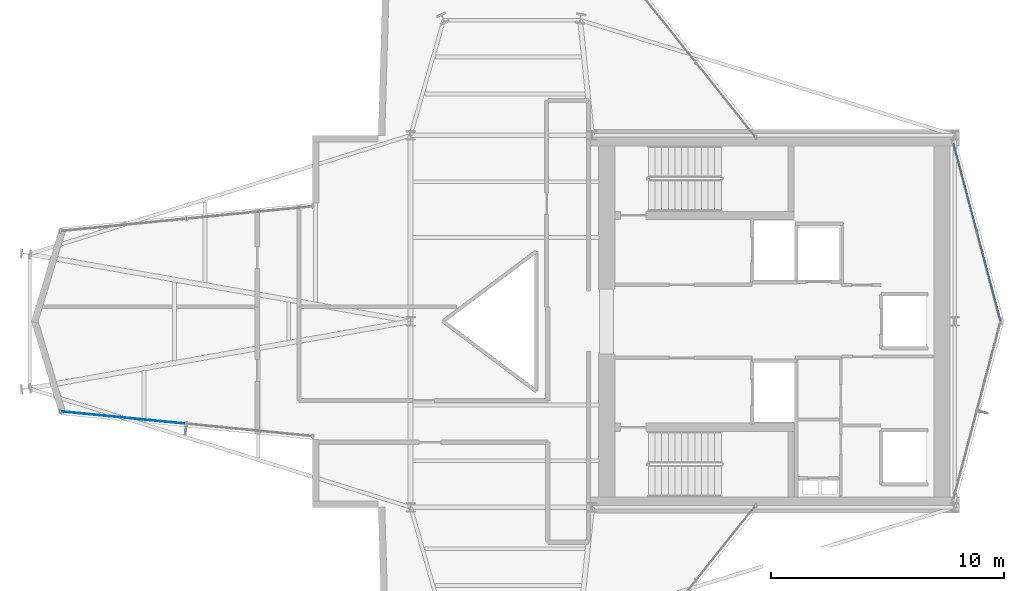
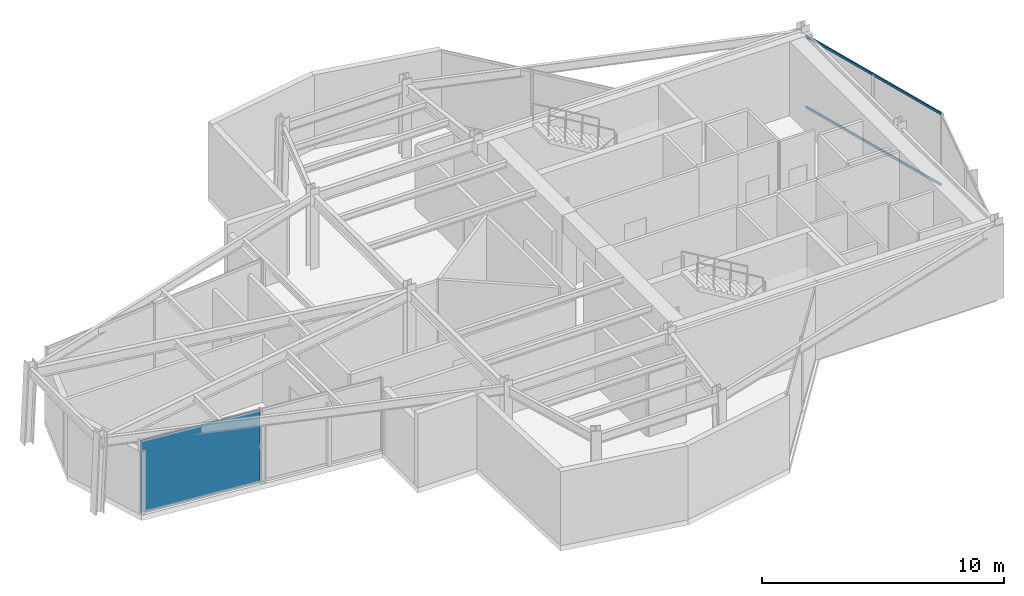
# One storey, part 17 of 23: 2 members, 1 plate, 2 elements without a shape of their own.
"""IFC4 building model written with IfcOpenShell, lengths in metres."""

import ifcopenshell
import ifcopenshell.guid

model = None  # the IFC model being written
_history = None  # IfcOwnerHistory: only IFC2X3 demands one
_inside = {}  # id of a spatial element -> (the spatial element, [elements in it])
_under = {}  # id of a project, library or spatial element -> (it, [spatial elements below it])
_declared = {}  # id of a project -> (the project, [libraries it declares])
_typed = {}  # id of a type object -> (the type object, [elements of that type])
_made_of = {}  # id of a material, layer set ... -> (it, [elements and type objects made of it])


def new_model(schema):
    """Start an empty IFC model of exactly this schema.

    Asked for "IFC4X3", IfcOpenShell would pick the latest addendum, in which some entities
    have other attributes; the version numbers below select the first issue.
    IFC2X3 requires an IfcOwnerHistory on every rooted entity: one is made here for all.
    """
    global model, _history
    if schema == "IFC4X3":
        model = ifcopenshell.file(schema_version=(4, 3, 0, 0))
    else:
        model = ifcopenshell.file(schema=schema)
    _inside.clear()
    _under.clear()
    _declared.clear()
    _typed.clear()
    _made_of.clear()
    _history = None
    if model.schema == "IFC2X3":
        org = make("IfcOrganization", Name="unknown")
        user = make(
            "IfcPersonAndOrganization",
            ThePerson=make("IfcPerson", FamilyName="unknown"),
            TheOrganization=org,
        )
        app = make(
            "IfcApplication",
            ApplicationDeveloper=org,
            Version="unknown",
            ApplicationFullName="unknown",
            ApplicationIdentifier="unknown",
        )
        _history = make(
            "IfcOwnerHistory",
            OwningUser=user,
            OwningApplication=app,
            ChangeAction="ADDED",
            CreationDate=0,
        )
    return model


def make(cls, **values):
    """One entity of the class cls with the attributes given. An attribute that is None is left unset."""
    return model.create_entity(
        cls, **{name: value for name, value in values.items() if value is not None}
    )


def rooted(cls, **values):
    """An entity with a GlobalId (a new one), such as an element, a storey or a relation."""
    return make(cls, GlobalId=ifcopenshell.guid.new(), OwnerHistory=_history, **values)


def si_unit(unit_type, name, prefix=None):
    """IfcSIUnit, for example si_unit("LENGTHUNIT", "METRE", prefix="MILLI")."""
    return make("IfcSIUnit", UnitType=unit_type, Prefix=prefix, Name=name)


def assignment(units):
    """IfcUnitAssignment: the units of a project."""
    return None if units is None else make("IfcUnitAssignment", Units=units)


def point(xyz):
    """IfcCartesianPoint."""
    return None if xyz is None else make("IfcCartesianPoint", Coordinates=xyz)


def direction(xyz):
    """IfcDirection."""
    return None if xyz is None else make("IfcDirection", DirectionRatios=xyz)


def frame(location, z_axis=None, x_axis=None):
    """IfcAxis2Placement3D, a coordinate frame: its origin and axes. An axis left out is left unset."""
    return make(
        "IfcAxis2Placement3D",
        Location=point(location),
        Axis=direction(z_axis),
        RefDirection=direction(x_axis),
    )


def frame_2d(location, x_axis=None):
    """IfcAxis2Placement2D, a coordinate frame in the plane: its origin and x axis."""
    return make(
        "IfcAxis2Placement2D", Location=point(location), RefDirection=direction(x_axis)
    )


def origin():
    """The frame at (0, 0, 0) with its axes left unset."""
    return frame((0.0, 0.0, 0.0))


def origin_2d():
    """The frame at (0, 0) in the plane with its x axis left unset."""
    return frame_2d((0.0, 0.0))


def place(relative_to, where):
    """IfcLocalPlacement: puts the frame where relative to a parent placement (None: the world)."""
    return make(
        "IfcLocalPlacement", PlacementRelTo=relative_to, RelativePlacement=where
    )


def context(
    kind, dimensions, precision=None, world=None, true_north=None, identifier=None
):
    """IfcGeometricRepresentationContext, for example the 3D "Model" context."""
    return make(
        "IfcGeometricRepresentationContext",
        ContextIdentifier=identifier,
        ContextType=kind,
        CoordinateSpaceDimension=dimensions,
        Precision=precision,
        WorldCoordinateSystem=world,
        TrueNorth=true_north,
    )


def subcontext(parent, identifier, kind, view, scale=None):
    """IfcGeometricRepresentationSubContext, for example "Body" below "Model"."""
    return make(
        "IfcGeometricRepresentationSubContext",
        ContextIdentifier=identifier,
        ContextType=kind,
        ParentContext=parent,
        TargetScale=scale,
        TargetView=view,
    )


def project(units=None, contexts=None):
    """IfcProject with its units and contexts."""
    return rooted(
        "IfcProject",
        Name="project",
        RepresentationContexts=contexts,
        UnitsInContext=assignment(units),
    )


def spatial(cls, under=None, at=None, **own):
    """A site, building, storey or space (cls), placed at a placement, below another one or the project."""
    s = rooted(cls, ObjectPlacement=at, **own)
    if under is not None:
        _under.setdefault(under.id(), (under, []))[1].append(s)
    return s


def profile(cls, at=None, kind="AREA", **sizes):
    """A parametric profile (cls). Its sizes go by their IFC names, for example OverallWidth=200.0."""
    return make(cls, ProfileType=kind, Position=at, **sizes)


def rectangle(**sizes):
    """IfcRectangleProfileDef."""
    return profile("IfcRectangleProfileDef", **sizes)


def hollow_rectangle(**sizes):
    """IfcRectangleHollowProfileDef."""
    return profile("IfcRectangleHollowProfileDef", **sizes)


def extrude(swept, where, along, depth):
    """IfcExtrudedAreaSolid: the profile swept, set in the frame where, extruded along a direction by depth."""
    return make(
        "IfcExtrudedAreaSolid",
        SweptArea=swept,
        Position=where,
        ExtrudedDirection=direction(along),
        Depth=depth,
    )


def shape(context_of_items, identifier, shape_type, items):
    """IfcShapeRepresentation: the items that make up one representation, for example the "Body"."""
    return make(
        "IfcShapeRepresentation",
        ContextOfItems=context_of_items,
        RepresentationIdentifier=identifier,
        RepresentationType=shape_type,
        Items=items,
    )


def material(Name=None, Category=None):
    """IfcMaterial."""
    return make("IfcMaterial", Name=Name, Category=Category)


def layer(
    of_material, thickness, ventilated=None, Name=None, Category=None, Priority=None
):
    """IfcMaterialLayer: one layer of a wall or slab, of a material (None: an air gap)."""
    return make(
        "IfcMaterialLayer",
        Material=of_material,
        LayerThickness=thickness,
        IsVentilated=ventilated,
        Name=Name,
        Category=Category,
        Priority=Priority,
    )


def layer_set(layers, Name=None):
    """IfcMaterialLayerSet."""
    return make("IfcMaterialLayerSet", MaterialLayers=layers, LayerSetName=Name)


def material_profile(
    of_material, cross_section, Name=None, Category=None, Priority=None
):
    """IfcMaterialProfile: a cross section and its material."""
    return make(
        "IfcMaterialProfile",
        Name=Name,
        Material=of_material,
        Profile=cross_section,
        Priority=Priority,
        Category=Category,
    )


def profile_set(profiles, Name=None, composite=None):
    """IfcMaterialProfileSet."""
    return make(
        "IfcMaterialProfileSet",
        Name=Name,
        MaterialProfiles=profiles,
        CompositeProfile=composite,
    )


def made_of(thing, what):
    """Note that an element or type object is made of a material, layer set ...; save() writes the relation."""
    if what is not None:
        _made_of.setdefault(what.id(), (what, []))[1].append(thing)
    return thing


def type_object(cls, material=None, **own):
    """A type object (cls), such as IfcWallType, which elements share."""
    return made_of(rooted(cls, **own), material)


def element(
    cls,
    number,
    at=None,
    inside=None,
    cuts=None,
    type_object=None,
    material=None,
    context=None,
    identifier="Body",
    shape_type=None,
    held_by="IfcProductDefinitionShape",
    body=None,
    shapes=None,
    **own,
):
    """One element of the class cls, such as IfcWall. Its Tag is "e" and its number.

    at: its placement. inside: the storey or other place that contains it. cuts: it is an
    opening in that element (IfcRelVoidsElement). A single representation is given by context,
    identifier, shape_type and body (its items); several are given by shapes. held_by: the class
    of the entity that holds the representations. save() writes the other relations.
    """
    e = rooted(cls, Tag="e%d" % number, ObjectPlacement=at, **own)
    if body is not None:
        shapes = [shape(context, identifier, shape_type, body)]
    if shapes is not None:
        e.Representation = make(held_by, Representations=shapes)
    if inside is not None:
        _inside.setdefault(inside.id(), (inside, []))[1].append(e)
    if cuts is not None:
        rooted(
            "IfcRelVoidsElement", RelatingBuildingElement=cuts, RelatedOpeningElement=e
        )
    if type_object is not None:
        _typed.setdefault(type_object.id(), (type_object, []))[1].append(e)
    return made_of(e, material)


def aggregate(whole, parts):
    """IfcRelAggregates: a whole, such as a stair, and the parts it consists of."""
    return rooted("IfcRelAggregates", RelatingObject=whole, RelatedObjects=parts)


def save(model, path):
    """Write the relations noted so far, then the file.

    IfcRelAggregates (storeys below a building ...), IfcRelContainedInSpatialStructure (elements
    in a storey), IfcRelDefinesByType, IfcRelAssociatesMaterial and IfcRelDeclares: one each for
    every whole, place, type object, material and project.
    """
    for whole, parts in _under.values():
        aggregate(whole, parts)
    for where, things in _inside.values():
        rooted(
            "IfcRelContainedInSpatialStructure",
            RelatedElements=things,
            RelatingStructure=where,
        )
    for kind, things in _typed.values():
        rooted("IfcRelDefinesByType", RelatedObjects=things, RelatingType=kind)
    for what, things in _made_of.values():
        rooted("IfcRelAssociatesMaterial", RelatedObjects=things, RelatingMaterial=what)
    for by, libraries in _declared.values():
        rooted("IfcRelDeclares", RelatingContext=by, RelatedDefinitions=libraries)
    model.write(path)


model = new_model("IFC4")

# Units and contexts
model_context = context("Model", 3, precision=1e-05, world=origin(), true_north=direction((0.0, 1.0)))
body_context = subcontext(model_context, "Body", "Model", "MODEL_VIEW")
ifc_project = project(units=[si_unit("LENGTHUNIT", "METRE"), si_unit("AREAUNIT", "SQUARE_METRE"), si_unit("VOLUMEUNIT", "CUBIC_METRE"), si_unit("PLANEANGLEUNIT", "RADIAN"), si_unit("MASSUNIT", "GRAM", prefix="KILO")], contexts=[model_context])

# Site, building, storey
site_placement = place(None, origin())
site = spatial("IfcSite", under=ifc_project, at=site_placement, CompositionType="ELEMENT")
building_placement = place(site_placement, origin())
building = spatial("IfcBuilding", under=site, at=building_placement, Name="Veymaron Broadcast Tower", CompositionType="ELEMENT")
storey_placement = place(building_placement, frame((0.0, 0.0, 252.60009765625)))
storey = spatial("IfcBuildingStorey", under=building, at=storey_placement, Name="L59", CompositionType="ELEMENT", Elevation=252.60009765625)

# Curtain wall, members
ifc_material_1 = material(Name="Anodised aluminium AA 6063-T6 and laminated low-E dark glass", Category="aluminium")
ifc_layer_1 = layer(ifc_material_1, 0.179931640625)
ifc_layer_set_1 = layer_set([ifc_layer_1], Name="Anodised aluminium AA 6063-T6 and laminated low-E dark glass")
curtain_wall_type = type_object("IfcCurtainWallType", Name="CW-SYS-05", PredefinedType="NOTDEFINED", material=ifc_layer_set_1)
curtain_wall_1_placement = place(storey_placement, origin())
curtain_wall_1 = element("IfcCurtainWall", 1, at=curtain_wall_1_placement, inside=storey, type_object=curtain_wall_type, Name="L59 dark-glass curtain wall CW-L59-E3-1", PredefinedType="NOTDEFINED")
ifc_material_2 = material(Name="Anodised aluminium AA 6063-T6", Category="aluminium")
ifc_material_profile = material_profile(ifc_material_2, hollow_rectangle(XDim=0.06005859375, YDim=0.1201171875, WallThickness=0.00390625, at=origin_2d()), Name="AL120X60X4")
ifc_profile_set = profile_set([ifc_material_profile], Name="Anodised aluminium AA 6063-T6")
member_type = type_object("IfcMemberType", Name="CW-TRN-02", PredefinedType="USERDEFINED", material=ifc_profile_set)
member_1_placement = place(storey_placement, frame((56.572998046875, 24.012451171875, 0.06982421875), z_axis=(-0.256287886106, 0.966600496294, 0.0), x_axis=(-0.966600496294, -0.256287886106, 0.0)))
member_1 = element("IfcMember", 2, at=member_1_placement, type_object=member_type, Name="CW-L59-E3-1 transom B", ObjectType="TRANSOM", PredefinedType="USERDEFINED", context=body_context, shape_type="SweptSolid", body=[
    extrude(hollow_rectangle(XDim=0.06005859375, YDim=0.1201171875, WallThickness=0.00390625, at=origin_2d()), origin(), (0.0, 0.0, 1.0), 7.926513671875),
])
member_2_placement = place(storey_placement, frame((56.572998046875, 24.012451171875, 3.659912109375), z_axis=(-0.256287886106, 0.966600496294, 0.0), x_axis=(-0.966600496294, -0.256287886106, 0.0)))
member_2 = element("IfcMember", 3, at=member_2_placement, type_object=member_type, Name="CW-L59-E3-1 transom T", ObjectType="TRANSOM", PredefinedType="USERDEFINED", context=body_context, shape_type="SweptSolid", body=[
    extrude(hollow_rectangle(XDim=0.06005859375, YDim=0.1201171875, WallThickness=0.00390625, at=origin_2d()), origin(), (0.0, 0.0, 1.0), 7.926513671875),
])
aggregate(curtain_wall_1, [member_1, member_2])

# Curtain wall, plate
curtain_wall_2_placement = place(storey_placement, origin())
curtain_wall_2 = element("IfcCurtainWall", 4, at=curtain_wall_2_placement, inside=storey, type_object=curtain_wall_type, Name="L59 dark-glass curtain wall CW-L59-E14-1", PredefinedType="NOTDEFINED")
ifc_material_3 = material(Name="Double-silver solar-control dark glass IGU 32 mm", Category="glass")
ifc_layer_2 = layer(ifc_material_3, 0.031982421875)
ifc_layer_set_2 = layer_set([ifc_layer_2], Name="Double-silver solar-control dark glass IGU 32 mm")
plate_type = type_object("IfcPlateType", Name="CW-PNL-02", PredefinedType="CURTAIN_PANEL", material=ifc_layer_set_2)
plate_placement = place(storey_placement, frame((18.834716796875, 19.85888671875, 0.0400390625), z_axis=(0.0, 0.0, 1.0), x_axis=(0.995198402746, -0.097878185373, 0.0)))
plate = element("IfcPlate", 5, at=plate_placement, type_object=plate_type, Name="CW-L59-E14-1 unitised curtain panel 0", PredefinedType="CURTAIN_PANEL", context=body_context, shape_type="SweptSolid", body=[
    extrude(rectangle(XDim=5.408203125, YDim=0.031982421875, at=origin_2d()), origin(), (0.0, 0.0, 1.0), 3.64990234375),
])
aggregate(curtain_wall_2, [plate])

save(model, "model.ifc")
